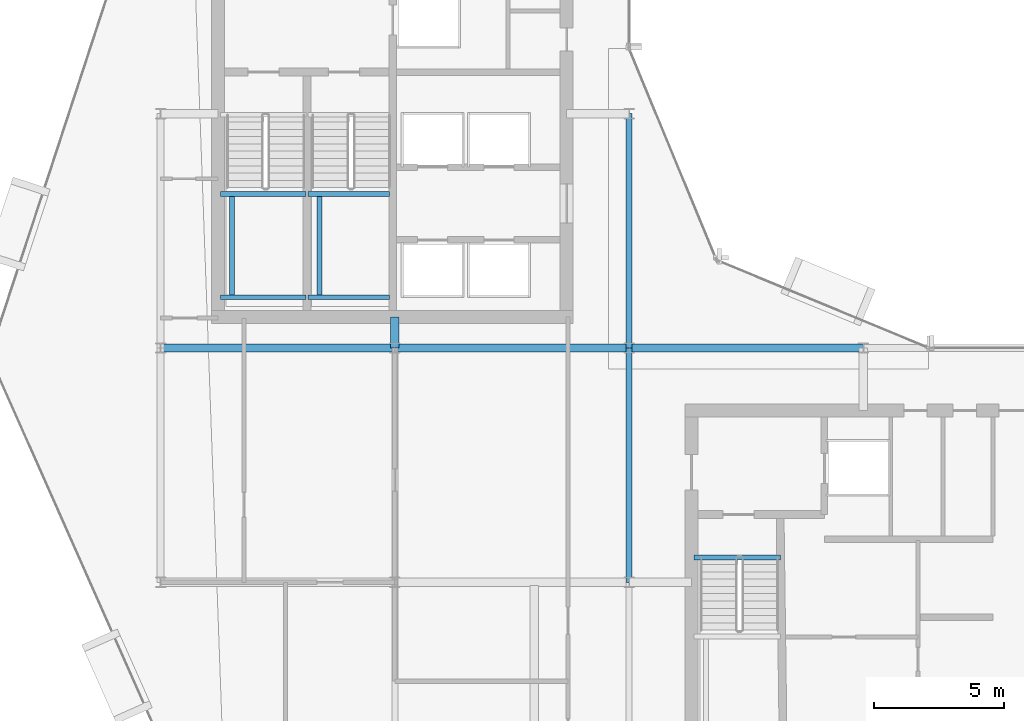
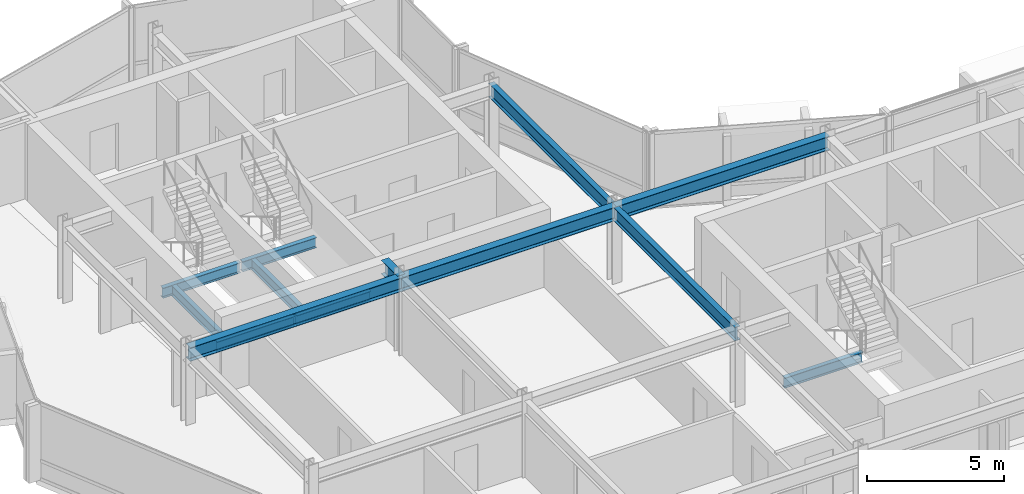
# One storey, part 7 of 28: 13 beams.
"""IFC4 building model written with IfcOpenShell, lengths in metres."""

import ifcopenshell
import ifcopenshell.guid

model = None  # the IFC model being written
_history = None  # IfcOwnerHistory: only IFC2X3 demands one
_inside = {}  # id of a spatial element -> (the spatial element, [elements in it])
_under = {}  # id of a project, library or spatial element -> (it, [spatial elements below it])
_declared = {}  # id of a project -> (the project, [libraries it declares])
_typed = {}  # id of a type object -> (the type object, [elements of that type])
_made_of = {}  # id of a material, layer set ... -> (it, [elements and type objects made of it])


def new_model(schema):
    """Start an empty IFC model of exactly this schema.

    Asked for "IFC4X3", IfcOpenShell would pick the latest addendum, in which some entities
    have other attributes; the version numbers below select the first issue.
    IFC2X3 requires an IfcOwnerHistory on every rooted entity: one is made here for all.
    """
    global model, _history
    if schema == "IFC4X3":
        model = ifcopenshell.file(schema_version=(4, 3, 0, 0))
    else:
        model = ifcopenshell.file(schema=schema)
    _inside.clear()
    _under.clear()
    _declared.clear()
    _typed.clear()
    _made_of.clear()
    _history = None
    if model.schema == "IFC2X3":
        org = make("IfcOrganization", Name="unknown")
        user = make(
            "IfcPersonAndOrganization",
            ThePerson=make("IfcPerson", FamilyName="unknown"),
            TheOrganization=org,
        )
        app = make(
            "IfcApplication",
            ApplicationDeveloper=org,
            Version="unknown",
            ApplicationFullName="unknown",
            ApplicationIdentifier="unknown",
        )
        _history = make(
            "IfcOwnerHistory",
            OwningUser=user,
            OwningApplication=app,
            ChangeAction="ADDED",
            CreationDate=0,
        )
    return model


def make(cls, **values):
    """One entity of the class cls with the attributes given. An attribute that is None is left unset."""
    return model.create_entity(
        cls, **{name: value for name, value in values.items() if value is not None}
    )


def rooted(cls, **values):
    """An entity with a GlobalId (a new one), such as an element, a storey or a relation."""
    return make(cls, GlobalId=ifcopenshell.guid.new(), OwnerHistory=_history, **values)


def si_unit(unit_type, name, prefix=None):
    """IfcSIUnit, for example si_unit("LENGTHUNIT", "METRE", prefix="MILLI")."""
    return make("IfcSIUnit", UnitType=unit_type, Prefix=prefix, Name=name)


def assignment(units):
    """IfcUnitAssignment: the units of a project."""
    return None if units is None else make("IfcUnitAssignment", Units=units)


def point(xyz):
    """IfcCartesianPoint."""
    return None if xyz is None else make("IfcCartesianPoint", Coordinates=xyz)


def direction(xyz):
    """IfcDirection."""
    return None if xyz is None else make("IfcDirection", DirectionRatios=xyz)


def frame(location, z_axis=None, x_axis=None):
    """IfcAxis2Placement3D, a coordinate frame: its origin and axes. An axis left out is left unset."""
    return make(
        "IfcAxis2Placement3D",
        Location=point(location),
        Axis=direction(z_axis),
        RefDirection=direction(x_axis),
    )


def frame_2d(location, x_axis=None):
    """IfcAxis2Placement2D, a coordinate frame in the plane: its origin and x axis."""
    return make(
        "IfcAxis2Placement2D", Location=point(location), RefDirection=direction(x_axis)
    )


def origin():
    """The frame at (0, 0, 0) with its axes left unset."""
    return frame((0.0, 0.0, 0.0))


def origin_2d():
    """The frame at (0, 0) in the plane with its x axis left unset."""
    return frame_2d((0.0, 0.0))


def place(relative_to, where):
    """IfcLocalPlacement: puts the frame where relative to a parent placement (None: the world)."""
    return make(
        "IfcLocalPlacement", PlacementRelTo=relative_to, RelativePlacement=where
    )


def context(
    kind, dimensions, precision=None, world=None, true_north=None, identifier=None
):
    """IfcGeometricRepresentationContext, for example the 3D "Model" context."""
    return make(
        "IfcGeometricRepresentationContext",
        ContextIdentifier=identifier,
        ContextType=kind,
        CoordinateSpaceDimension=dimensions,
        Precision=precision,
        WorldCoordinateSystem=world,
        TrueNorth=true_north,
    )


def subcontext(parent, identifier, kind, view, scale=None):
    """IfcGeometricRepresentationSubContext, for example "Body" below "Model"."""
    return make(
        "IfcGeometricRepresentationSubContext",
        ContextIdentifier=identifier,
        ContextType=kind,
        ParentContext=parent,
        TargetScale=scale,
        TargetView=view,
    )


def project(units=None, contexts=None):
    """IfcProject with its units and contexts."""
    return rooted(
        "IfcProject",
        Name="project",
        RepresentationContexts=contexts,
        UnitsInContext=assignment(units),
    )


def spatial(cls, under=None, at=None, **own):
    """A site, building, storey or space (cls), placed at a placement, below another one or the project."""
    s = rooted(cls, ObjectPlacement=at, **own)
    if under is not None:
        _under.setdefault(under.id(), (under, []))[1].append(s)
    return s


def profile(cls, at=None, kind="AREA", **sizes):
    """A parametric profile (cls). Its sizes go by their IFC names, for example OverallWidth=200.0."""
    return make(cls, ProfileType=kind, Position=at, **sizes)


def i_section(**sizes):
    """IfcIShapeProfileDef."""
    return profile("IfcIShapeProfileDef", **sizes)


def extrude(swept, where, along, depth):
    """IfcExtrudedAreaSolid: the profile swept, set in the frame where, extruded along a direction by depth."""
    return make(
        "IfcExtrudedAreaSolid",
        SweptArea=swept,
        Position=where,
        ExtrudedDirection=direction(along),
        Depth=depth,
    )


def shape(context_of_items, identifier, shape_type, items):
    """IfcShapeRepresentation: the items that make up one representation, for example the "Body"."""
    return make(
        "IfcShapeRepresentation",
        ContextOfItems=context_of_items,
        RepresentationIdentifier=identifier,
        RepresentationType=shape_type,
        Items=items,
    )


def material(Name=None, Category=None):
    """IfcMaterial."""
    return make("IfcMaterial", Name=Name, Category=Category)


def material_profile(
    of_material, cross_section, Name=None, Category=None, Priority=None
):
    """IfcMaterialProfile: a cross section and its material."""
    return make(
        "IfcMaterialProfile",
        Name=Name,
        Material=of_material,
        Profile=cross_section,
        Priority=Priority,
        Category=Category,
    )


def profile_set(profiles, Name=None, composite=None):
    """IfcMaterialProfileSet."""
    return make(
        "IfcMaterialProfileSet",
        Name=Name,
        MaterialProfiles=profiles,
        CompositeProfile=composite,
    )


def made_of(thing, what):
    """Note that an element or type object is made of a material, layer set ...; save() writes the relation."""
    if what is not None:
        _made_of.setdefault(what.id(), (what, []))[1].append(thing)
    return thing


def type_object(cls, material=None, **own):
    """A type object (cls), such as IfcWallType, which elements share."""
    return made_of(rooted(cls, **own), material)


def element(
    cls,
    number,
    at=None,
    inside=None,
    cuts=None,
    type_object=None,
    material=None,
    context=None,
    identifier="Body",
    shape_type=None,
    held_by="IfcProductDefinitionShape",
    body=None,
    shapes=None,
    **own,
):
    """One element of the class cls, such as IfcWall. Its Tag is "e" and its number.

    at: its placement. inside: the storey or other place that contains it. cuts: it is an
    opening in that element (IfcRelVoidsElement). A single representation is given by context,
    identifier, shape_type and body (its items); several are given by shapes. held_by: the class
    of the entity that holds the representations. save() writes the other relations.
    """
    e = rooted(cls, Tag="e%d" % number, ObjectPlacement=at, **own)
    if body is not None:
        shapes = [shape(context, identifier, shape_type, body)]
    if shapes is not None:
        e.Representation = make(held_by, Representations=shapes)
    if inside is not None:
        _inside.setdefault(inside.id(), (inside, []))[1].append(e)
    if cuts is not None:
        rooted(
            "IfcRelVoidsElement", RelatingBuildingElement=cuts, RelatedOpeningElement=e
        )
    if type_object is not None:
        _typed.setdefault(type_object.id(), (type_object, []))[1].append(e)
    return made_of(e, material)


def aggregate(whole, parts):
    """IfcRelAggregates: a whole, such as a stair, and the parts it consists of."""
    return rooted("IfcRelAggregates", RelatingObject=whole, RelatedObjects=parts)


def save(model, path):
    """Write the relations noted so far, then the file.

    IfcRelAggregates (storeys below a building ...), IfcRelContainedInSpatialStructure (elements
    in a storey), IfcRelDefinesByType, IfcRelAssociatesMaterial and IfcRelDeclares: one each for
    every whole, place, type object, material and project.
    """
    for whole, parts in _under.values():
        aggregate(whole, parts)
    for where, things in _inside.values():
        rooted(
            "IfcRelContainedInSpatialStructure",
            RelatedElements=things,
            RelatingStructure=where,
        )
    for kind, things in _typed.values():
        rooted("IfcRelDefinesByType", RelatedObjects=things, RelatingType=kind)
    for what, things in _made_of.values():
        rooted("IfcRelAssociatesMaterial", RelatedObjects=things, RelatingMaterial=what)
    for by, libraries in _declared.values():
        rooted("IfcRelDeclares", RelatingContext=by, RelatedDefinitions=libraries)
    model.write(path)


model = new_model("IFC4")

# Units and contexts
model_context = context("Model", 3, precision=1e-05, world=origin(), true_north=direction((0.0, 1.0)))
body_context = subcontext(model_context, "Body", "Model", "MODEL_VIEW")
ifc_project = project(units=[si_unit("LENGTHUNIT", "METRE"), si_unit("AREAUNIT", "SQUARE_METRE"), si_unit("VOLUMEUNIT", "CUBIC_METRE"), si_unit("PLANEANGLEUNIT", "RADIAN"), si_unit("MASSUNIT", "GRAM", prefix="KILO")], contexts=[model_context])

# Site, building, storey
site_placement = place(None, origin())
site = spatial("IfcSite", under=ifc_project, at=site_placement, CompositionType="ELEMENT")
building_placement = place(site_placement, origin())
building = spatial("IfcBuilding", under=site, at=building_placement, Name="Solvaryn Broadcast Tower", CompositionType="ELEMENT")
storey_placement = place(building_placement, frame((0.0, 0.0, 206.199951171875)))
storey = spatial("IfcBuildingStorey", under=building, at=storey_placement, Name="L51", CompositionType="ELEMENT", Elevation=206.199951171875)

# Beams
ifc_material_1 = material(Name="Steel ASTM A992 Grade 50", Category="steel")
ifc_material_profile_1 = material_profile(ifc_material_1, i_section(OverallWidth=0.323974609375, OverallDepth=0.611083984375, WebThickness=0.0126953125, FlangeThickness=0.01904296875, FilletRadius=0.014892578125, at=origin_2d()))
ifc_profile_set_1 = profile_set([ifc_material_profile_1], Name="Steel ASTM A992 Grade 50")
beam_type_1 = type_object("IfcBeamType", Name="BM-B1-W24X104", PredefinedType="BEAM", material=ifc_profile_set_1)
for number, where, z_axis, x_axis, name in (
    (1, (9.0, 27.0, 3.114501953125), (1.0, 0.0, 0.0), (0.0, 1.0, 0.0), "L51 Primary Beam X (9-18 @ Y=27)"),
    (2, (18.0, 27.0, 3.114501953125), (1.0, 0.0, 0.0), (0.0, 1.0, 0.0), "L51 Primary Beam X (18-27 @ Y=27)"),
    (3, (27.0, 27.0, 3.114501953125), (1.0, 0.0, 0.0), (0.0, 1.0, 0.0), "L51 Primary Beam X (27-36 @ Y=27)"),
):
    element("IfcBeam", number, at=place(storey_placement, frame(where, z_axis=z_axis, x_axis=x_axis)), inside=storey, type_object=beam_type_1, Name=name, PredefinedType="BEAM", context=body_context, shape_type="SweptSolid", body=[
        extrude(i_section(OverallWidth=0.323974609375, OverallDepth=0.611083984375, WebThickness=0.0126953125, FlangeThickness=0.01904296875, FilletRadius=0.014892578125, at=origin_2d()), origin(), (0.0, 0.0, 1.0), 9.0),
    ])
beam_1_placement = place(storey_placement, frame((18.0, 27.0, 3.114501953125), z_axis=(0.0, 1.0, 0.0), x_axis=(-1.0, 0.0, 0.0)))
element("IfcBeam", 4, at=beam_1_placement, inside=storey, type_object=beam_type_1, Name="L51 Core Tie Beam CTW4", PredefinedType="BEAM", context=body_context, shape_type="SweptSolid", body=[
    extrude(i_section(OverallWidth=0.323974609375, OverallDepth=0.611083984375, WebThickness=0.0126953125, FlangeThickness=0.01904296875, FilletRadius=0.014892578125, at=origin_2d()), origin(), (0.0, 0.0, 1.0), 1.199951171875),
])
ifc_material_2 = material(Name="Steel ASTM A992 Grade 50", Category="steel")
ifc_material_profile_2 = material_profile(ifc_material_2, i_section(OverallWidth=0.22802734375, OverallDepth=0.60791015625, WebThickness=0.01123046875, FlangeThickness=0.017333984375, FilletRadius=0.014892578125, at=origin_2d()))
ifc_profile_set_2 = profile_set([ifc_material_profile_2], Name="Steel ASTM A992 Grade 50")
beam_type_2 = type_object("IfcBeamType", Name="BM-B2-W24X76", PredefinedType="BEAM", material=ifc_profile_set_2)
for number, where, z_axis, x_axis, name in (
    (5, (27.0, 18.0, 3.115966796875), (0.0, 1.0, 0.0), (-1.0, 0.0, 0.0), "L51 Primary Beam Y (18-27 @ X=27)"),
    (6, (27.0, 27.0, 3.115966796875), (0.0, 1.0, 0.0), (-1.0, 0.0, 0.0), "L51 Primary Beam Y (27-36 @ X=27)"),
):
    element("IfcBeam", number, at=place(storey_placement, frame(where, z_axis=z_axis, x_axis=x_axis)), inside=storey, type_object=beam_type_2, Name=name, PredefinedType="BEAM", context=body_context, shape_type="SweptSolid", body=[
        extrude(i_section(OverallWidth=0.22802734375, OverallDepth=0.60791015625, WebThickness=0.01123046875, FlangeThickness=0.017333984375, FilletRadius=0.014892578125, at=origin_2d()), origin(), (0.0, 0.0, 1.0), 9.0),
    ])
ifc_material_3 = material(Name="Steel ASTM A992 Grade 50", Category="steel")
ifc_material_profile_3 = material_profile(ifc_material_3, i_section(OverallWidth=0.18994140625, OverallDepth=0.45703125, WebThickness=0.009033203125, FlangeThickness=0.014404296875, FilletRadius=0.011962890625, at=origin_2d()))
ifc_profile_set_3 = profile_set([ifc_material_profile_3], Name="Steel ASTM A992 Grade 50")
beam_type_3 = type_object("IfcBeamType", Name="BM-B4-W18X50", PredefinedType="BEAM", material=ifc_profile_set_3)
for number, where, z_axis, x_axis, name in (
    (7, (11.300048828125, 28.949951171875, 1.421630859375), (1.0, 0.0, 0.0), (0.0, 1.0, 0.0), "L51 ST1 Landing Support Beam 1A"),
    (8, (11.300048828125, 32.909912109375, 1.421630859375), (1.0, 0.0, 0.0), (0.0, 1.0, 0.0), "L51 ST1 Landing Support Beam 1B"),
):
    element("IfcBeam", number, at=place(storey_placement, frame(where, z_axis=z_axis, x_axis=x_axis)), inside=storey, type_object=beam_type_3, Name=name, PredefinedType="BEAM", context=body_context, shape_type="SweptSolid", body=[
        extrude(i_section(OverallWidth=0.18994140625, OverallDepth=0.45703125, WebThickness=0.009033203125, FlangeThickness=0.014404296875, FilletRadius=0.011962890625, at=origin_2d()), origin(), (0.0, 0.0, 1.0), 3.280029296875),
    ])
beam_2_placement = place(storey_placement, frame((11.75, 28.949951171875, 1.421630859375), z_axis=(0.0, 1.0, 0.0), x_axis=(-1.0, 0.0, 0.0)))
element("IfcBeam", 9, at=beam_2_placement, inside=storey, type_object=beam_type_3, Name="L51 ST1 Landing Cross Stringer 1C", PredefinedType="BEAM", context=body_context, shape_type="SweptSolid", body=[
    extrude(i_section(OverallWidth=0.18994140625, OverallDepth=0.45703125, WebThickness=0.009033203125, FlangeThickness=0.014404296875, FilletRadius=0.011962890625, at=origin_2d()), origin(), (0.0, 0.0, 1.0), 3.9599609375),
])
for number, where, z_axis, x_axis, name in (
    (10, (14.659912109375, 28.949951171875, 1.421630859375), (1.0, 0.0, 0.0), (0.0, 1.0, 0.0), "L51 ST2 Landing Support Beam 1A"),
    (11, (14.659912109375, 32.909912109375, 1.421630859375), (1.0, 0.0, 0.0), (0.0, 1.0, 0.0), "L51 ST2 Landing Support Beam 1B"),
):
    element("IfcBeam", number, at=place(storey_placement, frame(where, z_axis=z_axis, x_axis=x_axis)), inside=storey, type_object=beam_type_3, Name=name, PredefinedType="BEAM", context=body_context, shape_type="SweptSolid", body=[
        extrude(i_section(OverallWidth=0.18994140625, OverallDepth=0.45703125, WebThickness=0.009033203125, FlangeThickness=0.014404296875, FilletRadius=0.011962890625, at=origin_2d()), origin(), (0.0, 0.0, 1.0), 3.14013671875),
    ])
beam_3_placement = place(storey_placement, frame((15.110107421875, 28.949951171875, 1.421630859375), z_axis=(0.0, 1.0, 0.0), x_axis=(-1.0, 0.0, 0.0)))
element("IfcBeam", 12, at=beam_3_placement, inside=storey, type_object=beam_type_3, Name="L51 ST2 Landing Cross Stringer 1C", PredefinedType="BEAM", context=body_context, shape_type="SweptSolid", body=[
    extrude(i_section(OverallWidth=0.18994140625, OverallDepth=0.45703125, WebThickness=0.009033203125, FlangeThickness=0.014404296875, FilletRadius=0.011962890625, at=origin_2d()), origin(), (0.0, 0.0, 1.0), 3.9599609375),
])
beam_4_placement = place(storey_placement, frame((29.5, 18.9599609375, -0.508544921875), z_axis=(1.0, 0.0, 0.0), x_axis=(0.0, 1.0, 0.0)))
element("IfcBeam", 13, at=beam_4_placement, inside=storey, type_object=beam_type_3, Name="L51 ST3 Stair Well Trimmer Beam", PredefinedType="BEAM", context=body_context, shape_type="SweptSolid", body=[
    extrude(i_section(OverallWidth=0.18994140625, OverallDepth=0.45703125, WebThickness=0.009033203125, FlangeThickness=0.014404296875, FilletRadius=0.011962890625, at=origin_2d()), origin(), (0.0, 0.0, 1.0), 3.320068359375),
])

save(model, "model.ifc")
